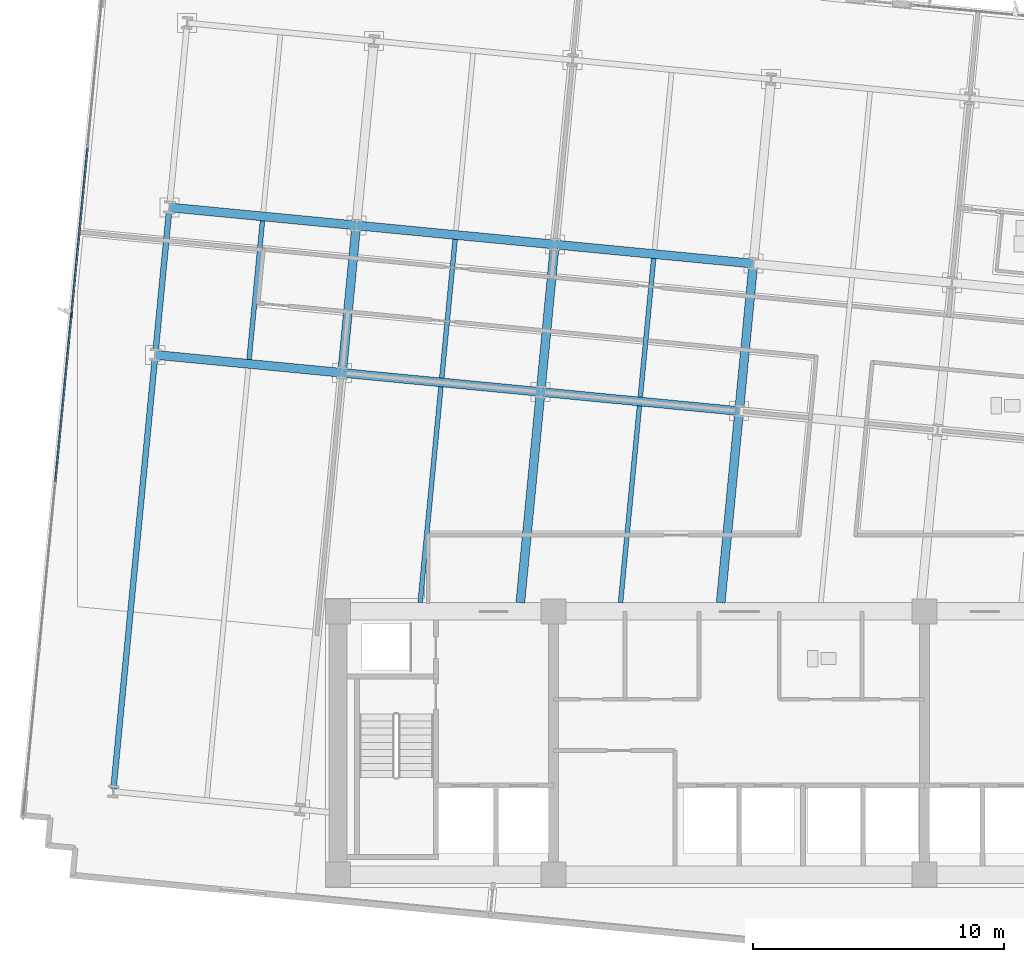
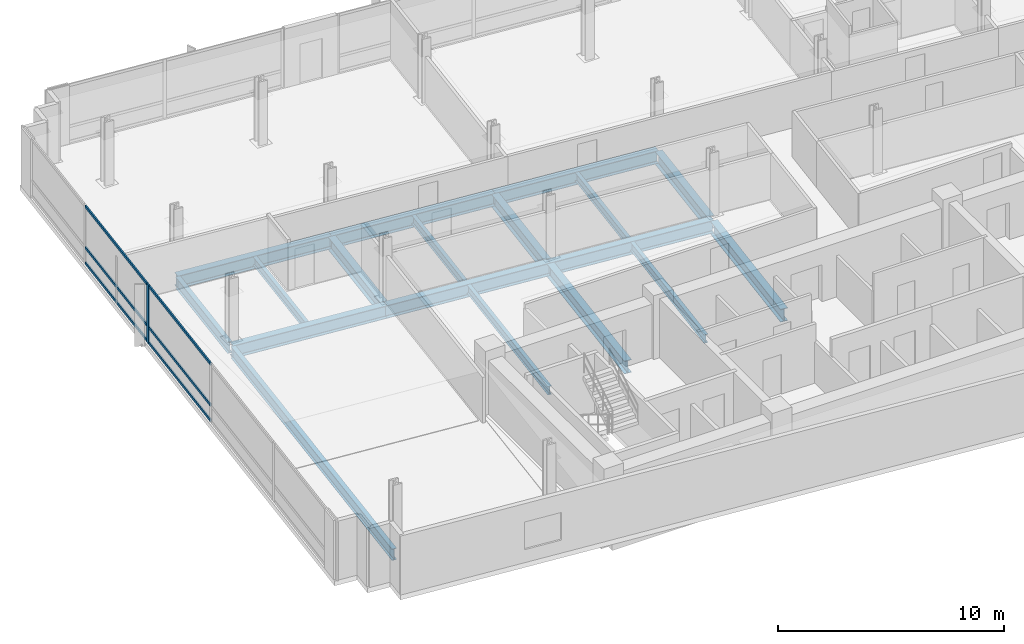
# One storey, part 4 of 16: 18 beams, 7 members, 1 element without a shape of its own.
"""IFC4 building model written with IfcOpenShell, lengths in metres."""

from ifc_helpers import new_model, si_unit, direction, frame, origin, origin_2d, place, context, subcontext, project, spatial, rectangle, i_section, extrude, material, material_profile, profile_set, type_object, element, aggregate, save


model = new_model("IFC4")

# Units and contexts
model_context = context("Model", 3, precision=1e-05, world=origin(), true_north=direction((0.0, 1.0)))
body_context = subcontext(model_context, "Body", "Model", "MODEL_VIEW")
ifc_project = project(units=[si_unit("LENGTHUNIT", "METRE"), si_unit("AREAUNIT", "SQUARE_METRE"), si_unit("VOLUMEUNIT", "CUBIC_METRE"), si_unit("PLANEANGLEUNIT", "RADIAN"), si_unit("MASSUNIT", "GRAM", prefix="KILO")], contexts=[model_context])

# Site, building, storey
site_placement = place(None, origin())
site = spatial("IfcSite", under=ifc_project, at=site_placement, CompositionType="ELEMENT")
building_placement = place(site_placement, origin())
building = spatial("IfcBuilding", under=site, at=building_placement, Name="Solmavex Isthmus Hotel", CompositionType="ELEMENT")
storey_placement = place(building_placement, frame((0.0, 0.0, 166.949951171875)))
storey = spatial("IfcBuildingStorey", under=building, at=storey_placement, Name="L45", CompositionType="ELEMENT", Elevation=166.949951171875)

# Beams
ifc_material_1 = material(Name="Steel ASTM A992 Grade 50", Category="steel")
ifc_material_profile_1 = material_profile(ifc_material_1, i_section(OverallWidth=0.354736328125, OverallDepth=0.695556640625, WebThickness=0.015380859375, FlangeThickness=0.02490234375, FilletRadius=0.017822265625, at=origin_2d()), Name="W27X146")
ifc_profile_set_1 = profile_set([ifc_material_profile_1], Name="Steel ASTM A992 Grade 50")
beam_type_1 = type_object("IfcBeamType", Name="BM-BG-W27X146", PredefinedType="BEAM", material=ifc_profile_set_1)
beam_1_placement = place(storey_placement, frame((-23.291015625, 7.733154296875, -0.607666015625), z_axis=(0.995395279593, -0.095855293875, 0.0), x_axis=(0.095855293875, 0.995395279593, 0.0)))
element("IfcBeam", 1, at=beam_1_placement, inside=storey, type_object=beam_type_1, Name="Floor Girder L45-UG03", PredefinedType="BEAM", context=body_context, shape_type="SweptSolid", body=[
    extrude(i_section(OverallWidth=0.354736328125, OverallDepth=0.695556640625, WebThickness=0.015380859375, FlangeThickness=0.02490234375, FilletRadius=0.017822265625, at=origin_2d()), origin(), (0.0, 0.0, 1.0), 7.488037109375),
])
beam_2_placement = place(storey_placement, frame((-15.83740234375, 7.015380859375, -0.607666015625), z_axis=(0.995397158178, -0.095835783981, 0.0), x_axis=(0.095835783981, 0.995397158178, 0.0)))
element("IfcBeam", 2, at=beam_2_placement, inside=storey, type_object=beam_type_1, Name="Floor Girder L45-UG04", PredefinedType="BEAM", context=body_context, shape_type="SweptSolid", body=[
    extrude(i_section(OverallWidth=0.354736328125, OverallDepth=0.695556640625, WebThickness=0.015380859375, FlangeThickness=0.02490234375, FilletRadius=0.017822265625, at=origin_2d()), origin(), (0.0, 0.0, 1.0), 7.955810546875),
])
beam_3_placement = place(storey_placement, frame((-7.918212890625, 6.2529296875, -0.607666015625), z_axis=(0.995394512348, -0.095863260885, 0.0), x_axis=(0.095863260885, 0.995394512348, 0.0)))
element("IfcBeam", 3, at=beam_3_placement, inside=storey, type_object=beam_type_1, Name="Floor Girder L45-UG05", PredefinedType="BEAM", context=body_context, shape_type="SweptSolid", body=[
    extrude(i_section(OverallWidth=0.354736328125, OverallDepth=0.695556640625, WebThickness=0.015380859375, FlangeThickness=0.02490234375, FilletRadius=0.017822265625, at=origin_2d()), origin(), (0.0, 0.0, 1.0), 7.9560546875),
])
beam_4_placement = place(storey_placement, frame((-22.724853515625, 13.614013671875, -0.607666015625), z_axis=(0.995395279593, -0.095855293875, 0.0), x_axis=(0.095855293875, 0.995395279593, 0.0)))
element("IfcBeam", 4, at=beam_4_placement, inside=storey, type_object=beam_type_1, Name="Floor Girder L45-UG09", PredefinedType="BEAM", context=body_context, shape_type="SweptSolid", body=[
    extrude(i_section(OverallWidth=0.354736328125, OverallDepth=0.695556640625, WebThickness=0.015380859375, FlangeThickness=0.02490234375, FilletRadius=0.017822265625, at=origin_2d()), origin(), (0.0, 0.0, 1.0), 7.488037109375),
])
for number, where, z_axis, x_axis, name in (
    (5, (-15.271240234375, 12.896240234375, -0.607666015625), (0.995397440011, -0.095832856685, 0.0), (0.095832856685, 0.995397440011, 0.0), "Floor Girder L45-UG10"),
    (6, (-7.351806640625, 12.1337890625, -0.607666015625), (0.995394512348, -0.095863260885, 0.0), (0.095863260885, 0.995394512348, 0.0), "Floor Girder L45-UG11"),
):
    element("IfcBeam", number, at=place(storey_placement, frame(where, z_axis=z_axis, x_axis=x_axis)), inside=storey, type_object=beam_type_1, Name=name, PredefinedType="BEAM", context=body_context, shape_type="SweptSolid", body=[
        extrude(i_section(OverallWidth=0.354736328125, OverallDepth=0.695556640625, WebThickness=0.015380859375, FlangeThickness=0.02490234375, FilletRadius=0.017822265625, at=origin_2d()), origin(), (0.0, 0.0, 1.0), 7.9560546875),
    ])
beam_5_placement = place(storey_placement, frame((-15.820556640625, 7.19189453125, -0.607666015625), z_axis=(0.095838058801, 0.995396939158, 0.0), x_axis=(-0.995396939158, 0.095838058801, 0.0)))
element("IfcBeam", 7, at=beam_5_placement, inside=storey, type_object=beam_type_1, Name="Floor Beam L45-VG25", PredefinedType="BEAM", context=body_context, shape_type="SweptSolid", body=[
    extrude(i_section(OverallWidth=0.354736328125, OverallDepth=0.695556640625, WebThickness=0.015380859375, FlangeThickness=0.02490234375, FilletRadius=0.017822265625, at=origin_2d()), origin(), (0.0, 0.0, 1.0), 5.553466796875),
])
beam_6_placement = place(storey_placement, frame((-8.727294921875, -2.14990234375, -0.607666015625), z_axis=(0.095861573524, 0.995394674851, 0.0), x_axis=(-0.995394674851, 0.095861573524, 0.0)))
element("IfcBeam", 8, at=beam_6_placement, inside=storey, type_object=beam_type_1, Name="Floor Beam L45-VG27", PredefinedType="BEAM", context=body_context, shape_type="SweptSolid", body=[
    extrude(i_section(OverallWidth=0.354736328125, OverallDepth=0.695556640625, WebThickness=0.015380859375, FlangeThickness=0.02490234375, FilletRadius=0.017822265625, at=origin_2d()), origin(), (0.0, 0.0, 1.0), 8.264404296875),
])
beam_7_placement = place(storey_placement, frame((-7.901123046875, 6.429443359375, -0.607666015625), z_axis=(0.095842252862, 0.99539653534, 0.0), x_axis=(-0.99539653534, 0.095842252862, 0.0)))
element("IfcBeam", 9, at=beam_7_placement, inside=storey, type_object=beam_type_1, Name="Floor Beam L45-VG28", PredefinedType="BEAM", context=body_context, shape_type="SweptSolid", body=[
    extrude(i_section(OverallWidth=0.354736328125, OverallDepth=0.695556640625, WebThickness=0.015380859375, FlangeThickness=0.02490234375, FilletRadius=0.017822265625, at=origin_2d()), origin(), (0.0, 0.0, 1.0), 5.55322265625),
])
beam_8_placement = place(storey_placement, frame((-0.734375, -2.14990234375, -0.607666015625), z_axis=(0.095856963455, 0.995395118813, 0.0), x_axis=(-0.995395118813, 0.095856963455, 0.0)))
element("IfcBeam", 10, at=beam_8_placement, inside=storey, type_object=beam_type_1, Name="Floor Beam L45-VG30", PredefinedType="BEAM", context=body_context, shape_type="SweptSolid", body=[
    extrude(i_section(OverallWidth=0.354736328125, OverallDepth=0.695556640625, WebThickness=0.015380859375, FlangeThickness=0.02490234375, FilletRadius=0.017822265625, at=origin_2d()), origin(), (0.0, 0.0, 1.0), 7.498046875),
])
beam_9_placement = place(storey_placement, frame((0.018310546875, 5.6669921875, -0.607666015625), z_axis=(0.095842252862, 0.99539653534, 0.0), x_axis=(-0.99539653534, 0.095842252862, 0.0)))
element("IfcBeam", 11, at=beam_9_placement, inside=storey, type_object=beam_type_1, Name="Floor Beam L45-VG31", PredefinedType="BEAM", context=body_context, shape_type="SweptSolid", body=[
    extrude(i_section(OverallWidth=0.354736328125, OverallDepth=0.695556640625, WebThickness=0.015380859375, FlangeThickness=0.02490234375, FilletRadius=0.017822265625, at=origin_2d()), origin(), (0.0, 0.0, 1.0), 5.55322265625),
])
ifc_material_profile_2 = material_profile(ifc_material_1, i_section(OverallWidth=0.1904296875, OverallDepth=0.456787109375, WebThickness=0.009033203125, FlangeThickness=0.014404296875, FilletRadius=0.0126953125, at=origin_2d()), Name="W18X50")
ifc_profile_set_2 = profile_set([ifc_material_profile_2], Name="Steel ASTM A992 Grade 50")
beam_type_2 = type_object("IfcBeamType", Name="BM-BJ-W18X50", PredefinedType="JOIST", material=ifc_profile_set_2)
beam_10_placement = place(storey_placement, frame((-19.547119140625, 7.55078125, -0.48828125), z_axis=(0.095842252862, 0.99539653534, 0.0), x_axis=(-0.99539653534, 0.095842252862, 0.0)))
element("IfcBeam", 12, at=beam_10_placement, inside=storey, type_object=beam_type_2, Name="Secondary Floor Joist L45-J02", PredefinedType="JOIST", context=body_context, shape_type="SweptSolid", body=[
    extrude(i_section(OverallWidth=0.1904296875, OverallDepth=0.456787109375, WebThickness=0.009033203125, FlangeThickness=0.014404296875, FilletRadius=0.0126953125, at=origin_2d()), origin(), (0.0, 0.0, 1.0), 5.55322265625),
])
beam_11_placement = place(storey_placement, frame((-12.7236328125, -2.14990234375, -0.48828125), z_axis=(0.095852279322, 0.995395569886, 0.0), x_axis=(-0.995395569886, 0.095852279322, 0.0)))
element("IfcBeam", 13, at=beam_11_placement, inside=storey, type_object=beam_type_2, Name="Secondary Floor Joist L45-J04", PredefinedType="JOIST", context=body_context, shape_type="SweptSolid", body=[
    extrude(i_section(OverallWidth=0.1904296875, OverallDepth=0.456787109375, WebThickness=0.009033203125, FlangeThickness=0.014404296875, FilletRadius=0.0126953125, at=origin_2d()), origin(), (0.0, 0.0, 1.0), 8.647216796875),
])
beam_12_placement = place(storey_placement, frame((-11.86083984375, 6.810791015625, -0.48828125), z_axis=(0.095842252862, 0.99539653534, 0.0), x_axis=(-0.99539653534, 0.095842252862, 0.0)))
element("IfcBeam", 14, at=beam_12_placement, inside=storey, type_object=beam_type_2, Name="Secondary Floor Joist L45-J05", PredefinedType="JOIST", context=body_context, shape_type="SweptSolid", body=[
    extrude(i_section(OverallWidth=0.1904296875, OverallDepth=0.456787109375, WebThickness=0.009033203125, FlangeThickness=0.014404296875, FilletRadius=0.0126953125, at=origin_2d()), origin(), (0.0, 0.0, 1.0), 5.55322265625),
])
beam_13_placement = place(storey_placement, frame((-4.730712890625, -2.14990234375, -0.48828125), z_axis=(0.09584403416, 0.995396363825, 0.0), x_axis=(-0.995396363825, 0.09584403416, 0.0)))
element("IfcBeam", 15, at=beam_13_placement, inside=storey, type_object=beam_type_2, Name="Secondary Floor Joist L45-J07", PredefinedType="JOIST", context=body_context, shape_type="SweptSolid", body=[
    extrude(i_section(OverallWidth=0.1904296875, OverallDepth=0.456787109375, WebThickness=0.009033203125, FlangeThickness=0.014404296875, FilletRadius=0.0126953125, at=origin_2d()), origin(), (0.0, 0.0, 1.0), 7.88134765625),
])
beam_14_placement = place(storey_placement, frame((-3.94140625, 6.048095703125, -0.48828125), z_axis=(0.095838058801, 0.995396939158, 0.0), x_axis=(-0.995396939158, 0.095838058801, 0.0)))
element("IfcBeam", 16, at=beam_14_placement, inside=storey, type_object=beam_type_2, Name="Secondary Floor Joist L45-J08", PredefinedType="JOIST", context=body_context, shape_type="SweptSolid", body=[
    extrude(i_section(OverallWidth=0.1904296875, OverallDepth=0.456787109375, WebThickness=0.009033203125, FlangeThickness=0.014404296875, FilletRadius=0.0126953125, at=origin_2d()), origin(), (0.0, 0.0, 1.0), 5.553466796875),
])
ifc_material_profile_3 = material_profile(ifc_material_1, i_section(OverallWidth=0.230224609375, OverallDepth=0.617431640625, WebThickness=0.01318359375, FlangeThickness=0.022216796875, FilletRadius=0.01513671875, at=origin_2d()), Name="W24X94")
ifc_profile_set_3 = profile_set([ifc_material_profile_3], Name="Steel ASTM A992 Grade 50")
beam_type_3 = type_object("IfcBeamType", Name="BM-SP-W24X94", PredefinedType="SPANDREL", material=ifc_profile_set_3)
beam_15_placement = place(storey_placement, frame((-24.957275390625, -9.571533203125, -0.568603515625), z_axis=(0.095840821687, 0.99539667314, 0.0), x_axis=(-0.99539667314, 0.095840821687, 0.0)))
element("IfcBeam", 17, at=beam_15_placement, inside=storey, type_object=beam_type_3, Name="Floor Beam L45-VG21", PredefinedType="SPANDREL", context=body_context, shape_type="SweptSolid", body=[
    extrude(i_section(OverallWidth=0.230224609375, OverallDepth=0.617431640625, WebThickness=0.01318359375, FlangeThickness=0.022216796875, FilletRadius=0.01513671875, at=origin_2d()), origin(), (0.0, 0.0, 1.0), 17.207275390625),
])
beam_16_placement = place(storey_placement, frame((-23.27392578125, 7.90966796875, -0.568603515625), z_axis=(0.095842252862, 0.99539653534, 0.0), x_axis=(-0.99539653534, 0.095842252862, 0.0)))
element("IfcBeam", 18, at=beam_16_placement, inside=storey, type_object=beam_type_3, Name="Floor Beam L45-VG22", PredefinedType="SPANDREL", context=body_context, shape_type="SweptSolid", body=[
    extrude(i_section(OverallWidth=0.230224609375, OverallDepth=0.617431640625, WebThickness=0.01318359375, FlangeThickness=0.022216796875, FilletRadius=0.01513671875, at=origin_2d()), origin(), (0.0, 0.0, 1.0), 5.55322265625),
])

# Curtain wall, members
ifc_material_2 = material(Name="Aluminium alloy 6063-T6", Category="aluminium")
curtain_wall_type = type_object("IfcCurtainWallType", Name="CW-SYS-03", PredefinedType="NOTDEFINED", material=ifc_material_2)
curtain_wall_placement = place(storey_placement, origin())
curtain_wall = element("IfcCurtainWall", 19, at=curtain_wall_placement, inside=storey, type_object=curtain_wall_type, Name="Stick Curtain Wall CWL-L45-W1", PredefinedType="NOTDEFINED")
ifc_material_profile_4 = material_profile(ifc_material_2, rectangle(XDim=0.070068359375, YDim=0.179931640625, at=origin_2d()), Name="CWM-70X180")
ifc_profile_set_4 = profile_set([ifc_material_profile_4], Name="Aluminium alloy 6063-T6")
member_type_1 = type_object("IfcMemberType", Name="CW-SYS-03-MUL", PredefinedType="MULLION", material=ifc_profile_set_4)
member_1_placement = place(storey_placement, frame((-26.63427734375, 9.32080078125, 0.0), z_axis=(0.0, 0.0, 1.0), x_axis=(-0.995396190038, 0.09584583902, 0.0)))
member_1 = element("IfcMember", 20, at=member_1_placement, type_object=member_type_1, Name="CW-03 mullion 4", PredefinedType="MULLION", context=body_context, shape_type="SweptSolid", body=[
    extrude(rectangle(XDim=0.070068359375, YDim=0.179931640625, at=origin_2d()), origin(), (0.0, 0.0, 1.0), 3.18994140625),
])
ifc_material_profile_5 = material_profile(ifc_material_2, rectangle(XDim=0.070068359375, YDim=0.139892578125, at=origin_2d()), Name="CWT-70X140")
ifc_profile_set_5 = profile_set([ifc_material_profile_5], Name="Aluminium alloy 6063-T6")
member_type_2 = type_object("IfcMemberType", Name="CW-SYS-03-TRN", PredefinedType="USERDEFINED", material=ifc_profile_set_5)
member_2_placement = place(storey_placement, frame((-27.27490234375, 2.666748046875, 0.070068359375), z_axis=(0.095857212138, 0.995395094865, 0.0), x_axis=(-0.995395094865, 0.095857212138, 0.0)))
member_2 = element("IfcMember", 21, at=member_2_placement, type_object=member_type_2, Name="CW-03 transom 3.1", ObjectType="TRANSOM", PredefinedType="USERDEFINED", context=body_context, shape_type="SweptSolid", body=[
    extrude(rectangle(XDim=0.070068359375, YDim=0.139892578125, at=origin_2d()), origin(), (0.0, 0.0, 1.0), 6.64990234375),
])
member_3_placement = place(storey_placement, frame((-27.27490234375, 2.666748046875, 0.900146484375), z_axis=(0.095857212138, 0.995395094865, 0.0), x_axis=(-0.995395094865, 0.095857212138, 0.0)))
member_3 = element("IfcMember", 22, at=member_3_placement, type_object=member_type_2, Name="CW-03 transom 3.2", ObjectType="TRANSOM", PredefinedType="USERDEFINED", context=body_context, shape_type="SweptSolid", body=[
    extrude(rectangle(XDim=0.070068359375, YDim=0.139892578125, at=origin_2d()), origin(), (0.0, 0.0, 1.0), 6.64990234375),
])
member_4_placement = place(storey_placement, frame((-27.27490234375, 2.666748046875, 3.1201171875), z_axis=(0.095857212138, 0.995395094865, 0.0), x_axis=(-0.995395094865, 0.095857212138, 0.0)))
member_4 = element("IfcMember", 23, at=member_4_placement, type_object=member_type_2, Name="CW-03 transom 3.3", ObjectType="TRANSOM", PredefinedType="USERDEFINED", context=body_context, shape_type="SweptSolid", body=[
    extrude(rectangle(XDim=0.070068359375, YDim=0.139892578125, at=origin_2d()), origin(), (0.0, 0.0, 1.0), 6.64990234375),
])
member_5_placement = place(storey_placement, frame((-26.630859375, 9.355712890625, 0.070068359375), z_axis=(0.095857212138, 0.995395094865, 0.0), x_axis=(-0.995395094865, 0.095857212138, 0.0)))
member_5 = element("IfcMember", 24, at=member_5_placement, type_object=member_type_2, Name="CW-03 transom 4.1", ObjectType="TRANSOM", PredefinedType="USERDEFINED", context=body_context, shape_type="SweptSolid", body=[
    extrude(rectangle(XDim=0.070068359375, YDim=0.139892578125, at=origin_2d()), origin(), (0.0, 0.0, 1.0), 6.64990234375),
])
member_6_placement = place(storey_placement, frame((-26.630859375, 9.355712890625, 0.900146484375), z_axis=(0.095857212138, 0.995395094865, 0.0), x_axis=(-0.995395094865, 0.095857212138, 0.0)))
member_6 = element("IfcMember", 25, at=member_6_placement, type_object=member_type_2, Name="CW-03 transom 4.2", ObjectType="TRANSOM", PredefinedType="USERDEFINED", context=body_context, shape_type="SweptSolid", body=[
    extrude(rectangle(XDim=0.070068359375, YDim=0.139892578125, at=origin_2d()), origin(), (0.0, 0.0, 1.0), 6.64990234375),
])
member_7_placement = place(storey_placement, frame((-26.630859375, 9.355712890625, 3.1201171875), z_axis=(0.095857212138, 0.995395094865, 0.0), x_axis=(-0.995395094865, 0.095857212138, 0.0)))
member_7 = element("IfcMember", 26, at=member_7_placement, type_object=member_type_2, Name="CW-03 transom 4.3", ObjectType="TRANSOM", PredefinedType="USERDEFINED", context=body_context, shape_type="SweptSolid", body=[
    extrude(rectangle(XDim=0.070068359375, YDim=0.139892578125, at=origin_2d()), origin(), (0.0, 0.0, 1.0), 6.64990234375),
])
aggregate(curtain_wall, [member_1, member_2, member_3, member_4, member_5, member_6, member_7])

save(model, "model.ifc")
